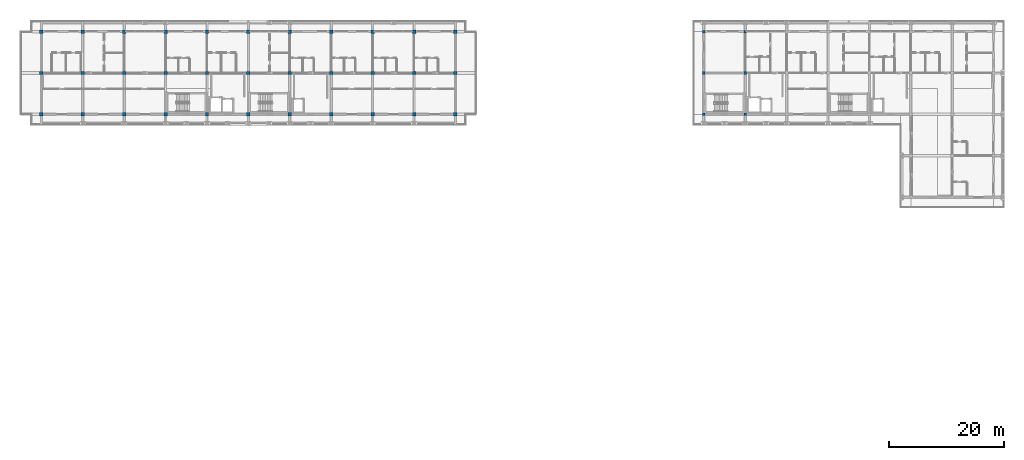
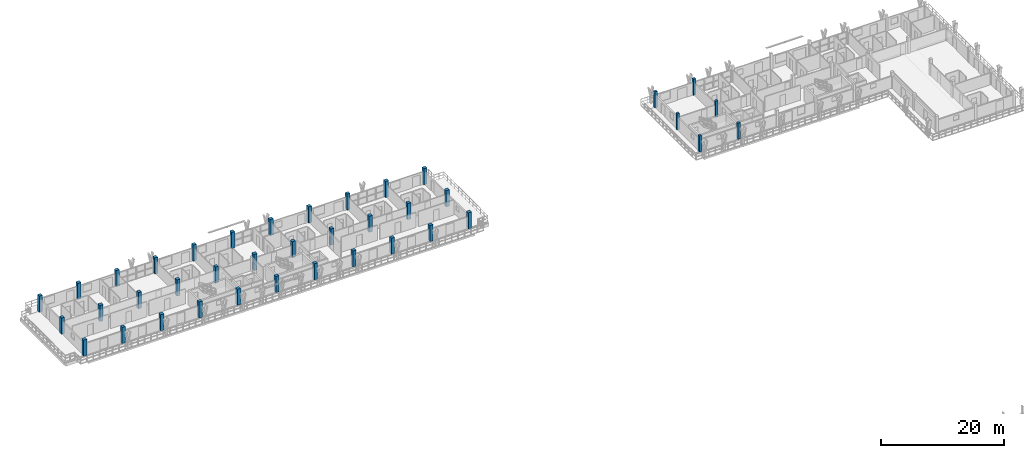
# One storey, part 2 of 56: 39 columns.
"""IFC4 building model written with IfcOpenShell, lengths in metres."""

from ifc_helpers import new_model, si_unit, direction, frame, origin, origin_2d, place, context, subcontext, project, spatial, rectangle, extrude, material, material_profile, profile_set, type_object, element, save


model = new_model("IFC4")

# Units and contexts
model_context = context("Model", 3, precision=1e-05, world=origin(), true_north=direction((0.0, 1.0)))
body_context = subcontext(model_context, "Body", "Model", "MODEL_VIEW")
ifc_project = project(units=[si_unit("LENGTHUNIT", "METRE"), si_unit("AREAUNIT", "SQUARE_METRE"), si_unit("VOLUMEUNIT", "CUBIC_METRE"), si_unit("PLANEANGLEUNIT", "RADIAN"), si_unit("MASSUNIT", "GRAM", prefix="KILO")], contexts=[model_context])

# Site, building, storey
site_placement = place(None, origin())
site = spatial("IfcSite", under=ifc_project, at=site_placement, CompositionType="ELEMENT")
building_placement = place(site_placement, origin())
building = spatial("IfcBuilding", under=site, at=building_placement, Name="Suanplinth Sawtooth Commons", CompositionType="ELEMENT")
storey_placement = place(building_placement, frame((0.0, 0.0, 34.800048828125)))
storey = spatial("IfcBuildingStorey", under=building, at=storey_placement, Name="L10", CompositionType="ELEMENT", Elevation=34.800048828125)

# Columns
ifc_material = material(Name="Precast concrete C40/50", Category="concrete")
ifc_material_profile_1 = material_profile(ifc_material, rectangle(XDim=0.60009765625, YDim=0.60009765625, at=origin_2d()), Name="PC-COL 600x600")
ifc_profile_set_1 = profile_set([ifc_material_profile_1], Name="Precast concrete C40/50")
column_type_1 = type_object("IfcColumnType", Name="C-04", PredefinedType="COLUMN", material=ifc_profile_set_1)
for number, where, z_axis, x_axis, name in (
    (1, (21.60009765625, 108.0, 0.0), (0.0, 0.0, 1.0), (1.0, 0.0, 0.0), "Column L10 4/R"),
    (2, (21.60009765625, 115.199951171875, 0.0), (0.0, 0.0, 1.0), (1.0, 0.0, 0.0), "Column L10 4/S"),
    (3, (21.60009765625, 122.39990234375, 0.0), (0.0, 0.0, 1.0), (1.0, 0.0, 0.0), "Column L10 4/T"),
    (4, (28.800048828125, 108.0, 0.0), (0.0, 0.0, 1.0), (1.0, 0.0, 0.0), "Column L10 5/R"),
    (5, (28.800048828125, 115.199951171875, 0.0), (0.0, 0.0, 1.0), (1.0, 0.0, 0.0), "Column L10 5/S"),
    (6, (28.800048828125, 122.39990234375, 0.0), (0.0, 0.0, 1.0), (1.0, 0.0, 0.0), "Column L10 5/T"),
    (7, (36.0, 108.0, 0.0), (0.0, 0.0, 1.0), (1.0, 0.0, 0.0), "Column L10 6/R"),
    (8, (36.0, 115.199951171875, 0.0), (0.0, 0.0, 1.0), (1.0, 0.0, 0.0), "Column L10 6/S"),
    (9, (36.0, 122.39990234375, 0.0), (0.0, 0.0, 1.0), (1.0, 0.0, 0.0), "Column L10 6/T"),
    (10, (43.199951171875, 108.0, 0.0), (0.0, 0.0, 1.0), (1.0, 0.0, 0.0), "Column L10 7/R"),
    (11, (43.199951171875, 115.199951171875, 0.0), (0.0, 0.0, 1.0), (1.0, 0.0, 0.0), "Column L10 7/S"),
    (12, (43.199951171875, 122.39990234375, 0.0), (0.0, 0.0, 1.0), (1.0, 0.0, 0.0), "Column L10 7/T"),
    (13, (50.39990234375, 108.0, 0.0), (0.0, 0.0, 1.0), (1.0, 0.0, 0.0), "Column L10 8/R"),
    (14, (50.39990234375, 115.199951171875, 0.0), (0.0, 0.0, 1.0), (1.0, 0.0, 0.0), "Column L10 8/S"),
    (15, (50.39990234375, 122.39990234375, 0.0), (0.0, 0.0, 1.0), (1.0, 0.0, 0.0), "Column L10 8/T"),
    (16, (57.60009765625, 108.0, 0.0), (0.0, 0.0, 1.0), (1.0, 0.0, 0.0), "Column L10 9/R"),
    (17, (57.60009765625, 115.199951171875, 0.0), (0.0, 0.0, 1.0), (1.0, 0.0, 0.0), "Column L10 9/S"),
    (18, (57.60009765625, 122.39990234375, 0.0), (0.0, 0.0, 1.0), (1.0, 0.0, 0.0), "Column L10 9/T"),
    (19, (64.800048828125, 108.0, 0.0), (0.0, 0.0, 1.0), (1.0, 0.0, 0.0), "Column L10 10/R"),
    (20, (64.800048828125, 115.199951171875, 0.0), (0.0, 0.0, 1.0), (1.0, 0.0, 0.0), "Column L10 10/S"),
    (21, (64.800048828125, 122.39990234375, 0.0), (0.0, 0.0, 1.0), (1.0, 0.0, 0.0), "Column L10 10/T"),
    (22, (72.0, 108.0, 0.0), (0.0, 0.0, 1.0), (1.0, 0.0, 0.0), "Column L10 11/R"),
    (23, (72.0, 115.199951171875, 0.0), (0.0, 0.0, 1.0), (1.0, 0.0, 0.0), "Column L10 11/S"),
    (24, (72.0, 122.39990234375, 0.0), (0.0, 0.0, 1.0), (1.0, 0.0, 0.0), "Column L10 11/T"),
    (25, (79.199951171875, 108.0, 0.0), (0.0, 0.0, 1.0), (1.0, 0.0, 0.0), "Column L10 12/R"),
    (26, (79.199951171875, 115.199951171875, 0.0), (0.0, 0.0, 1.0), (1.0, 0.0, 0.0), "Column L10 12/S"),
    (27, (79.199951171875, 122.39990234375, 0.0), (0.0, 0.0, 1.0), (1.0, 0.0, 0.0), "Column L10 12/T"),
    (28, (86.39990234375, 108.0, 0.0), (0.0, 0.0, 1.0), (1.0, 0.0, 0.0), "Column L10 13/R"),
    (29, (86.39990234375, 115.199951171875, 0.0), (0.0, 0.0, 1.0), (1.0, 0.0, 0.0), "Column L10 13/S"),
    (30, (86.39990234375, 122.39990234375, 0.0), (0.0, 0.0, 1.0), (1.0, 0.0, 0.0), "Column L10 13/T"),
    (31, (93.60009765625, 108.0, 0.0), (0.0, 0.0, 1.0), (1.0, 0.0, 0.0), "Column L10 14/R"),
    (32, (93.60009765625, 115.199951171875, 0.0), (0.0, 0.0, 1.0), (1.0, 0.0, 0.0), "Column L10 14/S"),
    (33, (93.60009765625, 122.39990234375, 0.0), (0.0, 0.0, 1.0), (1.0, 0.0, 0.0), "Column L10 14/T"),
):
    element("IfcColumn", number, at=place(storey_placement, frame(where, z_axis=z_axis, x_axis=x_axis)), inside=storey, type_object=column_type_1, Name=name, PredefinedType="COLUMN", context=body_context, shape_type="SweptSolid", body=[
        extrude(rectangle(XDim=0.60009765625, YDim=0.60009765625, at=origin_2d()), origin(), (0.0, 0.0, 1.0), 3.199951171875),
    ])
ifc_material_profile_2 = material_profile(ifc_material, rectangle(XDim=0.449951171875, YDim=0.449951171875, at=origin_2d()), Name="PC-COL 450x450")
ifc_profile_set_2 = profile_set([ifc_material_profile_2], Name="Precast concrete C40/50")
column_type_2 = type_object("IfcColumnType", Name="C-07", PredefinedType="COLUMN", material=ifc_profile_set_2)
for number, where, z_axis, x_axis, name in (
    (34, (136.800048828125, 108.0, 0.0), (0.0, 0.0, 1.0), (1.0, 0.0, 0.0), "Column L10 20/R"),
    (35, (136.800048828125, 115.199951171875, 0.0), (0.0, 0.0, 1.0), (1.0, 0.0, 0.0), "Column L10 20/S"),
    (36, (136.800048828125, 122.39990234375, 0.0), (0.0, 0.0, 1.0), (1.0, 0.0, 0.0), "Column L10 20/T"),
    (37, (144.0, 108.0, 0.0), (0.0, 0.0, 1.0), (1.0, 0.0, 0.0), "Column L10 21/R"),
    (38, (144.0, 115.199951171875, 0.0), (0.0, 0.0, 1.0), (1.0, 0.0, 0.0), "Column L10 21/S"),
    (39, (144.0, 122.39990234375, 0.0), (0.0, 0.0, 1.0), (1.0, 0.0, 0.0), "Column L10 21/T"),
):
    element("IfcColumn", number, at=place(storey_placement, frame(where, z_axis=z_axis, x_axis=x_axis)), inside=storey, type_object=column_type_2, Name=name, PredefinedType="COLUMN", context=body_context, shape_type="SweptSolid", body=[
        extrude(rectangle(XDim=0.449951171875, YDim=0.449951171875, at=origin_2d()), origin(), (0.0, 0.0, 1.0), 3.199951171875),
    ])

save(model, "model.ifc")
